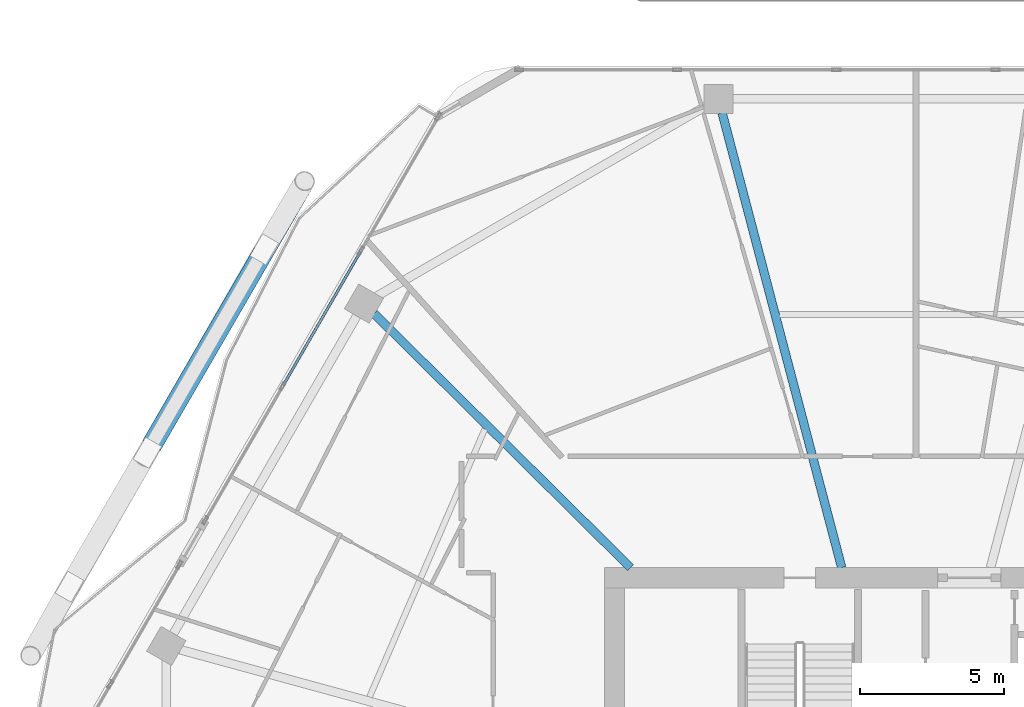
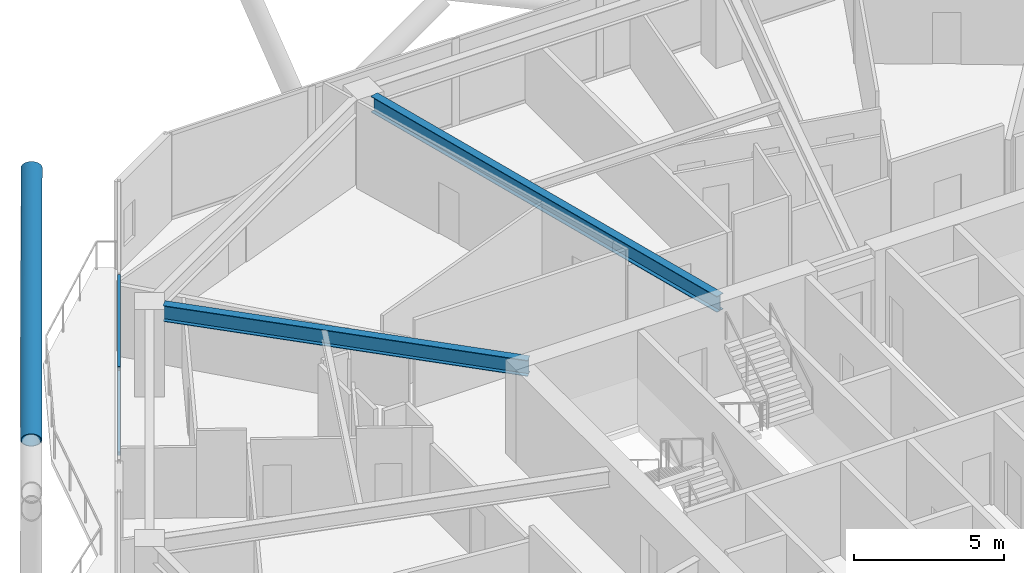
# One storey, part 12 of 28: 3 members, 2 beams, 1 element without a shape of its own.
"""IFC4 building model written with IfcOpenShell, lengths in metres."""

from ifc_helpers import new_model, si_unit, direction, frame, origin, origin_2d, place, context, subcontext, project, spatial, hollow_rectangle, hollow_circle, i_section, extrude, material, material_profile, profile_set, type_object, element, aggregate, save


model = new_model("IFC4")

# Units and contexts
model_context = context("Model", 3, precision=1e-05, world=origin(), true_north=direction((0.0, 1.0)))
body_context = subcontext(model_context, "Body", "Model", "MODEL_VIEW")
ifc_project = project(units=[si_unit("LENGTHUNIT", "METRE"), si_unit("AREAUNIT", "SQUARE_METRE"), si_unit("VOLUMEUNIT", "CUBIC_METRE"), si_unit("PLANEANGLEUNIT", "RADIAN"), si_unit("MASSUNIT", "GRAM", prefix="KILO")], contexts=[model_context])

# Site, building, storey
site_placement = place(None, origin())
site = spatial("IfcSite", under=ifc_project, at=site_placement, CompositionType="ELEMENT")
building_placement = place(site_placement, origin())
building = spatial("IfcBuilding", under=site, at=building_placement, Name="Zuhravey Tower", CompositionType="ELEMENT")
storey_placement = place(building_placement, frame((0.0, 0.0, 154.199951171875)))
storey = spatial("IfcBuildingStorey", under=building, at=storey_placement, Name="L38", CompositionType="ELEMENT", Elevation=154.199951171875)

# Curtain wall, members
ifc_material_1 = material(Name="Thermally broken anodised aluminium", Category="aluminium")
curtain_wall_type = type_object("IfcCurtainWallType", Name="Zone 1-2 Residential Curtain Wall CW3", PredefinedType="NOTDEFINED", material=ifc_material_1)
curtain_wall_placement = place(storey_placement, origin())
curtain_wall = element("IfcCurtainWall", 1, at=curtain_wall_placement, inside=storey, type_object=curtain_wall_type, Name="L38 CW3 CW-L38-F3-2", PredefinedType="NOTDEFINED")
ifc_material_2 = material(Name="Anodised aluminium", Category="aluminium")
ifc_material_profile_1 = material_profile(ifc_material_2, hollow_rectangle(XDim=0.090087890625, YDim=0.14990234375, WallThickness=0.0048828125, at=origin_2d()), Name="ALU-RHS-90x150x5")
ifc_profile_set_1 = profile_set([ifc_material_profile_1], Name="Anodised aluminium")
member_type_1 = type_object("IfcMemberType", Name="Curtain-Wall Transom 90x150", PredefinedType="USERDEFINED", material=ifc_profile_set_1)
member_1_placement = place(storey_placement, frame((13.9697265625, 48.208740234375, 0.045166015625), z_axis=(0.500000175831, 0.866025302268, 0.0), x_axis=(-0.866025302268, 0.500000175831, 0.0)))
member_1 = element("IfcMember", 2, at=member_1_placement, type_object=member_type_1, Name="CW3 transom 2.1", ObjectType="TRANSOM", PredefinedType="USERDEFINED", context=body_context, shape_type="SweptSolid", body=[
    extrude(hollow_rectangle(XDim=0.090087890625, YDim=0.14990234375, WallThickness=0.0048828125, at=origin_2d()), origin(), (0.0, 0.0, 1.0), 5.35205078125),
])
member_2_placement = place(storey_placement, frame((13.9697265625, 48.208740234375, 3.505126953125), z_axis=(0.500000175831, 0.866025302268, 0.0), x_axis=(-0.866025302268, 0.500000175831, 0.0)))
member_2 = element("IfcMember", 3, at=member_2_placement, type_object=member_type_1, Name="CW3 transom 2.2", ObjectType="TRANSOM", PredefinedType="USERDEFINED", context=body_context, shape_type="SweptSolid", body=[
    extrude(hollow_rectangle(XDim=0.090087890625, YDim=0.14990234375, WallThickness=0.0048828125, at=origin_2d()), origin(), (0.0, 0.0, 1.0), 5.35205078125),
])
aggregate(curtain_wall, [member_1, member_2])

# Member
ifc_material_3 = material(Name="Steel SM460", Category="steel")
ifc_material_profile_2 = material_profile(ifc_material_3, hollow_circle(Radius=0.355712890625, WallThickness=0.031982421875, at=origin_2d()), Name="CHS-711.2x32")
ifc_profile_set_2 = profile_set([ifc_material_profile_2], Name="Steel SM460")
member_type_2 = type_object("IfcMemberType", Name="Exoskeleton Zone 2 Diagrid CHS711x32", PredefinedType="BRACE", material=ifc_profile_set_2)
member_3_placement = place(storey_placement, frame((9.395751953125, 46.13525390625, 3.449462890625), z_axis=(0.473436747234, 0.817452905317, 0.328067666736), x_axis=(-0.86534615854, 0.501174646107, 0.0)))
element("IfcMember", 4, at=member_3_placement, inside=storey, type_object=member_type_2, Name="L38 Face 3 Split Diagrid Brace 3B", PredefinedType="BRACE", context=body_context, shape_type="SweptSolid", body=[
    extrude(hollow_circle(Radius=0.355712890625, WallThickness=0.031982421875, at=origin_2d()), origin(), (0.0, 0.0, 1.0), 11.190185546875),
])

# Beams
ifc_material_4 = material(Name="Steel SM355", Category="steel")
ifc_material_profile_3 = material_profile(ifc_material_4, i_section(OverallWidth=0.300048828125, OverallDepth=0.64990234375, WebThickness=0.012939453125, FlangeThickness=0.02197265625, at=origin_2d()), Name="H-650x300x13x22")
ifc_profile_set_3 = profile_set([ifc_material_profile_3], Name="Steel SM355")
beam_type = type_object("IfcBeamType", Name="Radial Primary Girder H650x300", PredefinedType="BEAM", material=ifc_profile_set_3)
beam_1_placement = place(storey_placement, frame((33.4091796875, 41.85302734375, 3.22509765625), z_axis=(-0.254300244998, 0.967125320418, 0.0), x_axis=(-0.967125320418, -0.254300244998, 0.0)))
element("IfcBeam", 5, at=beam_1_placement, inside=storey, type_object=beam_type, Name="L38 RG2 BM-L38-RAD-04", PredefinedType="BEAM", context=body_context, shape_type="SweptSolid", body=[
    extrude(i_section(OverallWidth=0.300048828125, OverallDepth=0.64990234375, WebThickness=0.012939453125, FlangeThickness=0.02197265625, at=origin_2d()), origin(), (0.0, 0.0, 1.0), 16.371826171875),
])
beam_2_placement = place(storey_placement, frame((26.054443359375, 41.85302734375, 3.22509765625), z_axis=(-0.71040353357, 0.703794586148, 0.0), x_axis=(-0.703794586148, -0.71040353357, 0.0)))
element("IfcBeam", 6, at=beam_2_placement, inside=storey, type_object=beam_type, Name="L38 RG2 BM-L38-RAD-05", PredefinedType="BEAM", context=body_context, shape_type="SweptSolid", body=[
    extrude(i_section(OverallWidth=0.300048828125, OverallDepth=0.64990234375, WebThickness=0.012939453125, FlangeThickness=0.02197265625, at=origin_2d()), origin(), (0.0, 0.0, 1.0), 12.559814453125),
])

save(model, "model.ifc")
